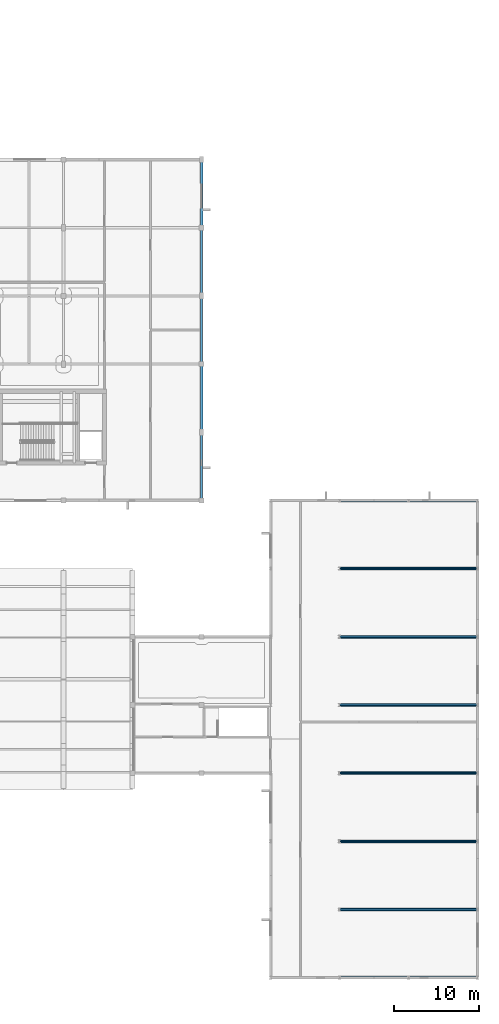
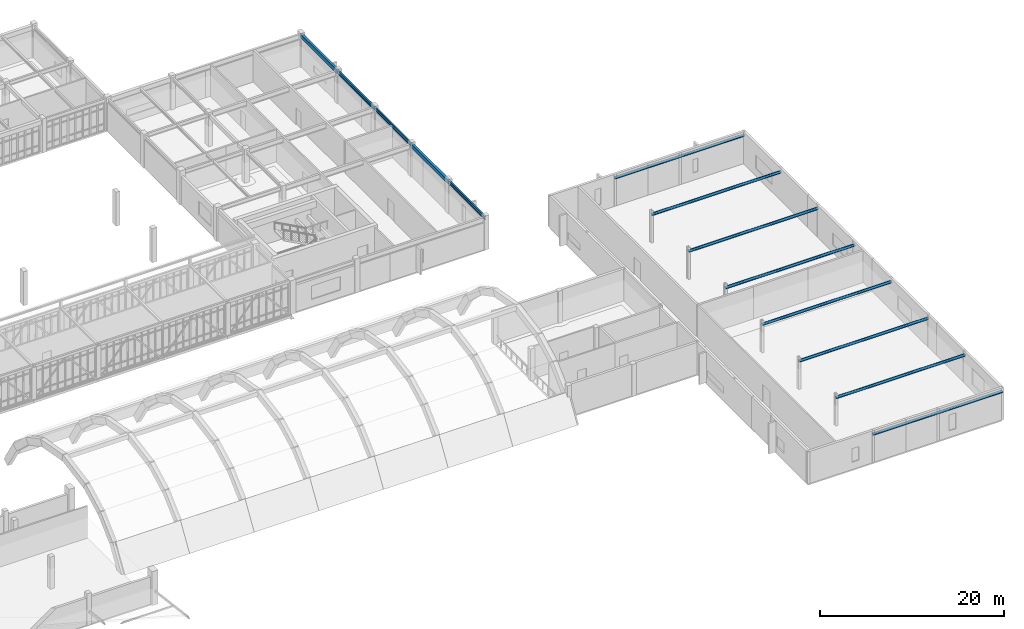
# One storey, part 20 of 67: 8 members, 5 beams.
"""IFC4 building model written with IfcOpenShell, lengths in metres."""

from ifc_helpers import new_model, si_unit, direction, frame, origin, origin_2d, place, context, subcontext, project, spatial, rectangle, hollow_circle, i_section, extrude, material, material_profile, profile_set, type_object, element, save


model = new_model("IFC4")

# Units and contexts
model_context = context("Model", 3, precision=1e-05, world=origin(), true_north=direction((0.0, 1.0)))
body_context = subcontext(model_context, "Body", "Model", "MODEL_VIEW")
ifc_project = project(units=[si_unit("LENGTHUNIT", "METRE"), si_unit("AREAUNIT", "SQUARE_METRE"), si_unit("VOLUMEUNIT", "CUBIC_METRE"), si_unit("PLANEANGLEUNIT", "RADIAN"), si_unit("MASSUNIT", "GRAM", prefix="KILO")], contexts=[model_context])

# Site, building, storey
site_placement = place(None, origin())
site = spatial("IfcSite", under=ifc_project, at=site_placement, CompositionType="ELEMENT")
building_placement = place(site_placement, origin())
building = spatial("IfcBuilding", under=site, at=building_placement, Name="Tarnveldt Square Police Headquarters", CompositionType="ELEMENT")
storey_placement = place(building_placement, frame((0.0, 0.0, 10.199951171875)))
storey = spatial("IfcBuildingStorey", under=building, at=storey_placement, Name="L02", CompositionType="ELEMENT", Elevation=10.199951171875)

# Beams
ifc_material_1 = material(Name="Concrete 40 MPa", Category="concrete")
ifc_material_profile_1 = material_profile(ifc_material_1, rectangle(XDim=0.300048828125, YDim=0.5, at=origin_2d()), Name="RC-B300x500")
ifc_profile_set_1 = profile_set([ifc_material_profile_1], Name="Concrete 40 MPa")
beam_type_1 = type_object("IfcBeamType", Name="BM-RC300x500", PredefinedType="BEAM", material=ifc_profile_set_1)
for number, where, z_axis, x_axis, name in (
    (1, (129.60009765625, 64.0, 3.989990234375), (0.0, 1.0, 0.0), (-1.0, 0.0, 0.0), "L03 Grid Girder Y-0802"),
    (2, (129.60009765625, 88.0, 3.989990234375), (0.0, 1.0, 0.0), (-1.0, 0.0, 0.0), "L03 Grid Girder Y-0805"),
):
    element("IfcBeam", number, at=place(storey_placement, frame(where, z_axis=z_axis, x_axis=x_axis)), inside=storey, type_object=beam_type_1, Name=name, PredefinedType="BEAM", context=body_context, shape_type="SweptSolid", body=[
        extrude(rectangle(XDim=0.300048828125, YDim=0.5, at=origin_2d()), origin(), (0.0, 0.0, 1.0), 8.0),
    ])
ifc_material_2 = material(Name="Steel 350W", Category="steel")
ifc_material_profile_2 = material_profile(ifc_material_2, i_section(OverallWidth=0.19189453125, OverallDepth=0.462890625, WebThickness=0.010498046875, FlangeThickness=0.017578125, FilletRadius=0.01806640625, at=origin_2d()), Name="W460x89")
ifc_profile_set_2 = profile_set([ifc_material_profile_2], Name="Steel 350W")
beam_type_2 = type_object("IfcBeamType", Name="BM-W460x89", PredefinedType="BEAM", material=ifc_profile_set_2)
for number, where, z_axis, x_axis, name in (
    (3, (129.60009765625, 56.0, 4.008544921875), (0.0, 1.0, 0.0), (-1.0, 0.0, 0.0), "L03 Grid Girder Y-0801"),
    (4, (129.60009765625, 72.0, 4.008544921875), (0.0, 1.0, 0.0), (-1.0, 0.0, 0.0), "L03 Grid Girder Y-0803"),
    (5, (129.60009765625, 80.0, 4.008544921875), (0.0, 1.0, 0.0), (-1.0, 0.0, 0.0), "L03 Grid Girder Y-0804"),
):
    element("IfcBeam", number, at=place(storey_placement, frame(where, z_axis=z_axis, x_axis=x_axis)), inside=storey, type_object=beam_type_2, Name=name, PredefinedType="BEAM", context=body_context, shape_type="SweptSolid", body=[
        extrude(i_section(OverallWidth=0.19189453125, OverallDepth=0.462890625, WebThickness=0.010498046875, FlangeThickness=0.017578125, FilletRadius=0.01806640625, at=origin_2d()), origin(), (0.0, 0.0, 1.0), 8.0),
    ])

# Members
ifc_material_profile_3 = material_profile(ifc_material_2, hollow_circle(Radius=0.177734375, WallThickness=0.015869140625, at=origin_2d()), Name="HSS356x16")
ifc_profile_set_3 = profile_set([ifc_material_profile_3], Name="Steel 350W")
member_type = type_object("IfcMemberType", Name="MEM-VT-TIE", PredefinedType="COLLAR", material=ifc_profile_set_3)
for number, where, z_axis, x_axis, name in (
    (6, (145.800048828125, 0.0, 3.650146484375), (1.0, 0.0, 0.0), (0.0, 1.0, 0.0), "Gabled Hall Tie Collar GF-1"),
    (7, (145.800048828125, 8.0, 3.650146484375), (1.0, 0.0, 0.0), (0.0, 1.0, 0.0), "Gabled Hall Tie Collar GF-2"),
    (8, (145.800048828125, 16.0, 3.650146484375), (1.0, 0.0, 0.0), (0.0, 1.0, 0.0), "Gabled Hall Tie Collar GF-3"),
    (9, (145.800048828125, 24.0, 3.650146484375), (1.0, 0.0, 0.0), (0.0, 1.0, 0.0), "Gabled Hall Tie Collar GF-4"),
    (10, (145.800048828125, 32.0, 3.650146484375), (1.0, 0.0, 0.0), (0.0, 1.0, 0.0), "Gabled Hall Tie Collar GF-5"),
    (11, (145.800048828125, 40.0, 3.650146484375), (1.0, 0.0, 0.0), (0.0, 1.0, 0.0), "Gabled Hall Tie Collar GF-6"),
    (12, (145.800048828125, 48.0, 3.650146484375), (1.0, 0.0, 0.0), (0.0, 1.0, 0.0), "Gabled Hall Tie Collar GF-7"),
    (13, (145.800048828125, 56.0, 3.650146484375), (1.0, 0.0, 0.0), (0.0, 1.0, 0.0), "Gabled Hall Tie Collar GF-8"),
):
    element("IfcMember", number, at=place(storey_placement, frame(where, z_axis=z_axis, x_axis=x_axis)), inside=storey, type_object=member_type, Name=name, PredefinedType="COLLAR", context=body_context, shape_type="SweptSolid", body=[
        extrude(hollow_circle(Radius=0.177734375, WallThickness=0.015869140625, at=origin_2d()), origin(), (0.0, 0.0, 1.0), 16.199951171875),
    ])

save(model, "model.ifc")
